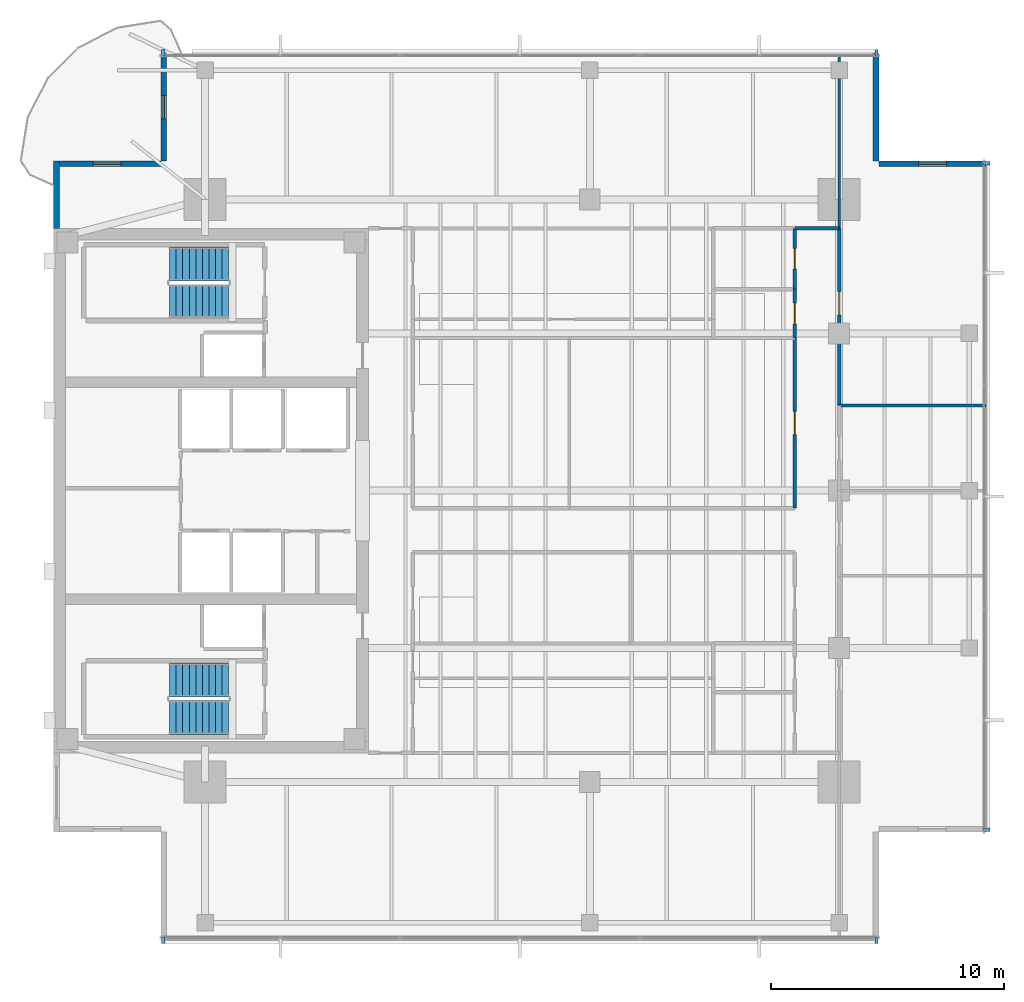
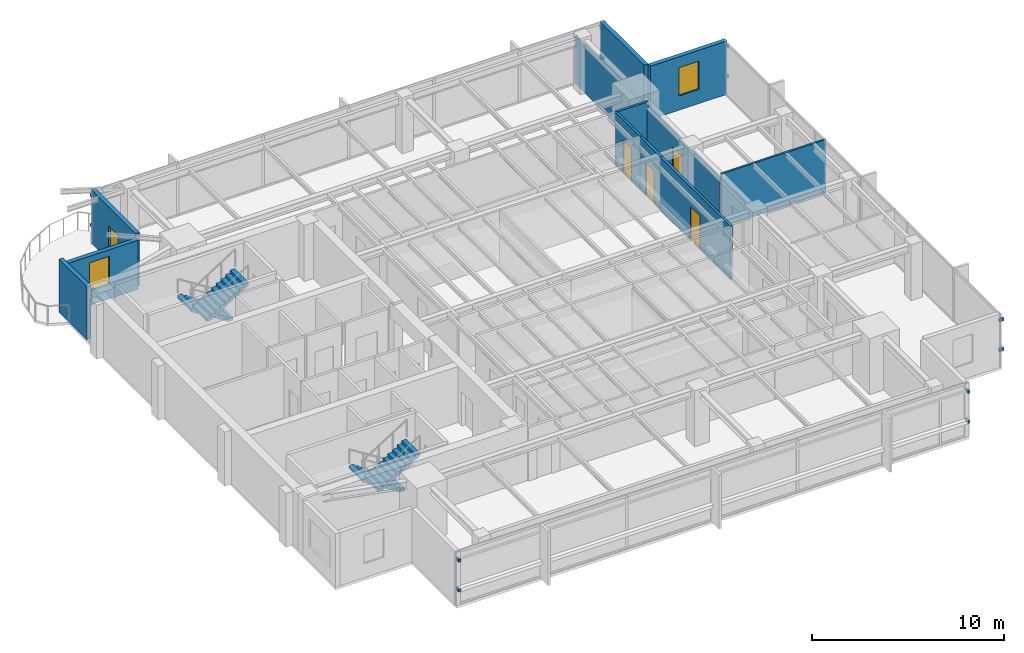
# One storey, part 10 of 14: 12 discrete accessories, 12 walls, 5 doors, 4 stair flights, 2 windows, 7 openings, 2 elements without a shape of their own.
"""IFC4 building model written with IfcOpenShell, lengths in metres."""

from ifc_helpers import new_model, si_unit, direction, frame, frame_2d, origin, origin_2d, place, context, subcontext, project, spatial, polyline, rectangle, outline, extrude, material, layer, layer_set, type_object, element, fill, aggregate, save


model = new_model("IFC4")

# Units and contexts
model_context = context("Model", 3, precision=1e-05, world=origin(), true_north=direction((0.0, 1.0)))
body_context = subcontext(model_context, "Body", "Model", "MODEL_VIEW")
ifc_project = project(units=[si_unit("LENGTHUNIT", "METRE"), si_unit("AREAUNIT", "SQUARE_METRE"), si_unit("VOLUMEUNIT", "CUBIC_METRE"), si_unit("PLANEANGLEUNIT", "RADIAN"), si_unit("MASSUNIT", "GRAM", prefix="KILO")], contexts=[model_context])

# Site, building, storey
site_placement = place(None, origin())
site = spatial("IfcSite", under=ifc_project, at=site_placement, CompositionType="ELEMENT")
building_placement = place(site_placement, origin())
building = spatial("IfcBuilding", under=site, at=building_placement, Name="Kinhvarn Gate Tower", CompositionType="ELEMENT")
storey_placement = place(building_placement, frame((0.0, 0.0, 249.25)))
storey = spatial("IfcBuildingStorey", under=building, at=storey_placement, Name="L66", CompositionType="ELEMENT", Elevation=249.25)

# Wall
ifc_material_1 = material(Name="Fired architectural terracotta", Category="masonry")
ifc_layer_1 = layer(ifc_material_1, 0.25)
ifc_layer_set_1 = layer_set([ifc_layer_1], Name="Fired architectural terracotta")
wall_type_1 = type_object("IfcWallType", Name="WL-EXT-250", PredefinedType="SOLIDWALL", material=ifc_layer_set_1)
wall_1_placement = place(storey_placement, frame((4.625, 39.39990234375, 0.0), z_axis=(0.0, 0.0, 1.0), x_axis=(0.0, -1.0, 0.0)))
element("IfcWall", 1, at=wall_1_placement, inside=storey, type_object=wall_type_1, Name="Exterior Solidwall Wall EW-250 (L66 West-North)", PredefinedType="SOLIDWALL", context=body_context, shape_type="SweptSolid", body=[
    extrude(rectangle(XDim=2.89990234375, YDim=0.25, at=frame_2d((1.449951171875, 0.0))), origin(), (0.0, 0.0, 1.0), 3.389892578125),
])

# Wall, opening, window
wall_2_placement = place(storey_placement, frame((44.5, 39.27490234375, 0.0), z_axis=(0.0, 0.0, 1.0), x_axis=(-1.0, 0.0, 0.0)))
wall_2 = element("IfcWall", 2, at=wall_2_placement, inside=storey, type_object=wall_type_1, Name="Exterior Solidwall Wall EW-250 (L66 NE-Notch-1)", PredefinedType="SOLIDWALL", context=body_context, shape_type="SweptSolid", body=[
    extrude(rectangle(XDim=4.60009765625, YDim=0.25, at=frame_2d((2.300048828125, 0.0))), origin(), (0.0, 0.0, 1.0), 3.389892578125),
])
opening_1_placement = place(wall_2_placement, frame((1.699951171875, 0.0, 0.89990234375)))
opening_1 = element("IfcOpeningElement", 3, at=opening_1_placement, cuts=wall_2, Name="Opening WN-02", PredefinedType="OPENING", context=body_context, shape_type="SweptSolid", body=[
    extrude(rectangle(XDim=1.199951171875, YDim=1.800048828125, at=frame_2d((0.60009765625, 0.89990234375))), frame((0.0, 0.135009765625, 0.0), z_axis=(0.0, -1.0, 0.0), x_axis=(1.0, 0.0, 0.0)), (0.0, 0.0, 1.0), 0.27001953125),
])
ifc_material_2 = material(Name="Clear low-e double glazing", Category="glass")
window_type = type_object("IfcWindowType", Name="WIN-NTC-1200", PartitioningType="SINGLE_PANEL", PredefinedType="WINDOW", material=ifc_material_2)
window_1_placement = place(opening_1_placement, origin())
window_1 = element("IfcWindow", 4, at=window_1_placement, inside=storey, type_object=window_type, Name="Recessed Corner Notch Punched Window 1200x1800 mm (L66)", OverallHeight=1.800048828125, OverallWidth=1.199951171875, PartitioningType="SINGLE_PANEL", PredefinedType="WINDOW", context=body_context, shape_type="SweptSolid", body=[
    extrude(rectangle(XDim=1.199951171875, YDim=1.800048828125, at=frame_2d((0.60009765625, 0.89990234375))), frame((0.0, 0.030029296875, 0.0), z_axis=(0.0, -1.0, 0.0), x_axis=(1.0, 0.0, 0.0)), (0.0, 0.0, 1.0), 0.06005859375),
])
fill(opening_1, window_1)

# Wall
wall_3_placement = place(storey_placement, frame((39.77490234375, 39.39990234375, 0.0), z_axis=(0.0, 0.0, 1.0), x_axis=(0.0, 1.0, 0.0)))
element("IfcWall", 5, at=wall_3_placement, inside=storey, type_object=wall_type_1, Name="Exterior Solidwall Wall EW-250 (L66 NE-Notch-2)", PredefinedType="SOLIDWALL", context=body_context, shape_type="SweptSolid", body=[
    extrude(rectangle(XDim=4.60009765625, YDim=0.25, at=frame_2d((2.300048828125, 0.0))), origin(), (0.0, 0.0, 1.0), 3.389892578125),
])

# Wall, opening, door
wall_4_placement = place(storey_placement, frame((9.22509765625, 44.0, 0.0), z_axis=(0.0, 0.0, 1.0), x_axis=(0.0, -1.0, 0.0)))
wall_4 = element("IfcWall", 6, at=wall_4_placement, inside=storey, type_object=wall_type_1, Name="Exterior Solidwall Wall EW-250 (L66 NW-Notch-Door)", PredefinedType="SOLIDWALL", context=body_context, shape_type="SweptSolid", body=[
    extrude(rectangle(XDim=4.60009765625, YDim=0.25, at=frame_2d((2.300048828125, 0.0))), origin(), (0.0, 0.0, 1.0), 3.389892578125),
])
opening_2_placement = place(wall_4_placement, frame((1.800048828125, 0.0, 0.0)))
opening_2 = element("IfcOpeningElement", 7, at=opening_2_placement, cuts=wall_4, Name="Opening BD-01", PredefinedType="OPENING", context=body_context, shape_type="SweptSolid", body=[
    extrude(rectangle(XDim=1.0, YDim=2.199951171875, at=frame_2d((0.5, 1.10009765625))), frame((0.0, 0.135009765625, 0.0), z_axis=(0.0, -1.0, 0.0), x_axis=(1.0, 0.0, 0.0)), (0.0, 0.0, 1.0), 0.27001953125),
])
door_type_1 = type_object("IfcDoorType", Name="DR-BAL-1000", OperationType="NOTDEFINED", PredefinedType="DOOR", material=ifc_material_2)
door_1_placement = place(opening_2_placement, frame((1.0, 0.0, 0.0), z_axis=(0.0, 0.0, 1.0), x_axis=(-1.0, 0.0, 0.0)))
door_1 = element("IfcDoor", 8, at=door_1_placement, inside=storey, type_object=door_type_1, Name="S-Carve Balcony Door BD-01 (L66)", OperationType="SINGLE_SWING_RIGHT", OverallHeight=2.199951171875, OverallWidth=1.0, PredefinedType="DOOR", context=body_context, shape_type="SweptSolid", body=[
    extrude(rectangle(XDim=1.0, YDim=2.199951171875, at=frame_2d((0.5, 1.10009765625))), frame((0.0, 0.02490234375, 0.0), z_axis=(0.0, -1.0, 0.0), x_axis=(1.0, 0.0, 0.0)), (0.0, 0.0, 1.0), 0.050048828125),
])
fill(opening_2, door_1)

# Wall, opening, window
wall_5_placement = place(storey_placement, frame((9.10009765625, 39.27490234375, 0.0), z_axis=(0.0, 0.0, 1.0), x_axis=(-1.0, 0.0, 0.0)))
wall_5 = element("IfcWall", 9, at=wall_5_placement, inside=storey, type_object=wall_type_1, Name="Exterior Solidwall Wall EW-250 (L66 NW-Notch-Win)", PredefinedType="SOLIDWALL", context=body_context, shape_type="SweptSolid", body=[
    extrude(rectangle(XDim=4.60009765625, YDim=0.25, at=frame_2d((2.300048828125, 0.0))), origin(), (0.0, 0.0, 1.0), 3.1201171875),
])
opening_3_placement = place(wall_5_placement, frame((1.699951171875, 0.0, 0.89990234375)))
opening_3 = element("IfcOpeningElement", 10, at=opening_3_placement, cuts=wall_5, Name="Opening WN-02", PredefinedType="OPENING", context=body_context, shape_type="SweptSolid", body=[
    extrude(rectangle(XDim=1.199951171875, YDim=1.800048828125, at=frame_2d((0.60009765625, 0.89990234375))), frame((0.0, 0.135009765625, 0.0), z_axis=(0.0, -1.0, 0.0), x_axis=(1.0, 0.0, 0.0)), (0.0, 0.0, 1.0), 0.27001953125),
])
window_2_placement = place(opening_3_placement, origin())
window_2 = element("IfcWindow", 11, at=window_2_placement, inside=storey, type_object=window_type, Name="Recessed Corner Notch Punched Window 1200x1800 mm (L66)", OverallHeight=1.800048828125, OverallWidth=1.199951171875, PartitioningType="SINGLE_PANEL", PredefinedType="WINDOW", context=body_context, shape_type="SweptSolid", body=[
    extrude(rectangle(XDim=1.199951171875, YDim=1.800048828125, at=frame_2d((0.60009765625, 0.89990234375))), frame((0.0, 0.030029296875, 0.0), z_axis=(0.0, -1.0, 0.0), x_axis=(1.0, 0.0, 0.0)), (0.0, 0.0, 1.0), 0.06005859375),
])
fill(opening_3, window_2)

# Wall, opening, door
ifc_material_3 = material(Name="Gypsum acoustic partition board")
ifc_layer_2 = layer(ifc_material_3, 0.14990234375)
ifc_layer_set_2 = layer_set([ifc_layer_2], Name="Gypsum acoustic partition board")
wall_type_2 = type_object("IfcWallType", Name="WL-PLM-150F", PredefinedType="PLUMBINGWALL", material=ifc_layer_set_2)
wall_6_placement = place(storey_placement, frame((36.300048828125, 33.89990234375, 0.0), z_axis=(0.0, 0.0, 1.0), x_axis=(0.0, 1.0, 0.0)))
wall_6 = element("IfcWall", 12, at=wall_6_placement, inside=storey, type_object=wall_type_2, Name="Interior Partition PLW-150F (L66)", PredefinedType="PLUMBINGWALL", context=body_context, shape_type="SweptSolid", body=[
    extrude(rectangle(XDim=2.60009765625, YDim=0.14990234375, at=frame_2d((1.300048828125, 0.0))), origin(), (0.0, 0.0, 1.0), 3.389892578125),
])
opening_4_placement = place(wall_6_placement, frame((0.85009765625, 0.0, 0.0)))
opening_4 = element("IfcOpeningElement", 13, at=opening_4_placement, cuts=wall_6, Name="Opening FD-04", PredefinedType="OPENING", context=body_context, shape_type="SweptSolid", body=[
    extrude(rectangle(XDim=0.89990234375, YDim=2.10009765625, at=frame_2d((0.449951171875, 1.050048828125))), frame((0.0, 0.0849609375, 0.0), z_axis=(0.0, -1.0, 0.0), x_axis=(1.0, 0.0, 0.0)), (0.0, 0.0, 1.0), 0.169921875),
])
ifc_material_4 = material(Name="Anodised aluminium AW-6063", Category="aluminium")
door_type_2 = type_object("IfcDoorType", Name="DR-FD-900", OperationType="NOTDEFINED", PredefinedType="DOOR", material=ifc_material_4)
door_2_placement = place(opening_4_placement, origin())
door_2 = element("IfcDoor", 14, at=door_2_placement, inside=storey, type_object=door_type_2, Name="Rated Riser & Service Closet Fire Door 900x2100 mm (L66)", OperationType="SINGLE_SWING_RIGHT", OverallHeight=2.10009765625, OverallWidth=0.89990234375, PredefinedType="DOOR", context=body_context, shape_type="SweptSolid", body=[
    extrude(rectangle(XDim=0.89990234375, YDim=2.10009765625, at=frame_2d((0.449951171875, 1.050048828125))), frame((0.0, 0.02490234375, 0.0), z_axis=(0.0, -1.0, 0.0), x_axis=(1.0, 0.0, 0.0)), (0.0, 0.0, 1.0), 0.050048828125),
])
fill(opening_4, door_2)

wall_7_placement = place(storey_placement, frame((36.300048828125, 31.800048828125, 0.0), z_axis=(0.0, 0.0, 1.0), x_axis=(0.0, 1.0, 0.0)))
wall_7 = element("IfcWall", 15, at=wall_7_placement, inside=storey, type_object=wall_type_2, Name="Interior Partition PLW-150F (L66)", PredefinedType="PLUMBINGWALL", context=body_context, shape_type="SweptSolid", body=[
    extrude(rectangle(XDim=2.099853515625, YDim=0.14990234375, at=frame_2d((1.0498046875, 0.0))), origin(), (0.0, 0.0, 1.0), 3.389892578125),
])
opening_5_placement = place(wall_7_placement, frame((0.60009765625, 0.0, 0.0)))
opening_5 = element("IfcOpeningElement", 16, at=opening_5_placement, cuts=wall_7, Name="Opening FD-04", PredefinedType="OPENING", context=body_context, shape_type="SweptSolid", body=[
    extrude(rectangle(XDim=0.89990234375, YDim=2.10009765625, at=frame_2d((0.449951171875, 1.050048828125))), frame((0.0, 0.0849609375, 0.0), z_axis=(0.0, -1.0, 0.0), x_axis=(1.0, 0.0, 0.0)), (0.0, 0.0, 1.0), 0.169921875),
])
door_3_placement = place(opening_5_placement, origin())
door_3 = element("IfcDoor", 17, at=door_3_placement, inside=storey, type_object=door_type_2, Name="Rated Riser & Service Closet Fire Door 900x2100 mm (L66)", OperationType="SINGLE_SWING_RIGHT", OverallHeight=2.10009765625, OverallWidth=0.89990234375, PredefinedType="DOOR", context=body_context, shape_type="SweptSolid", body=[
    extrude(rectangle(XDim=0.89990234375, YDim=2.10009765625, at=frame_2d((0.449951171875, 1.050048828125))), frame((0.0, 0.02490234375, 0.0), z_axis=(0.0, -1.0, 0.0), x_axis=(1.0, 0.0, 0.0)), (0.0, 0.0, 1.0), 0.050048828125),
])
fill(opening_5, door_3)

# Walls
ifc_layer_3 = layer(ifc_material_3, 0.1201171875)
ifc_layer_set_3 = layer_set([ifc_layer_3], Name="Gypsum acoustic partition board")
wall_type_3 = type_object("IfcWallType", Name="WL-PRT-120", PredefinedType="PARTITIONING", material=ifc_layer_set_3)
wall_8_placement = place(storey_placement, frame((38.199951171875, 36.5, 0.0), z_axis=(0.0, 0.0, 1.0), x_axis=(0.0, 1.0, 0.0)))
element("IfcWall", 18, at=wall_8_placement, inside=storey, type_object=wall_type_3, Name="Interior Partition PW-120 (L66)", PredefinedType="PARTITIONING", context=body_context, shape_type="SweptSolid", body=[
    extrude(rectangle(XDim=7.489990234375, YDim=0.1201171875, at=frame_2d((3.7451171875, 0.0))), origin(), (0.0, 0.0, 1.0), 2.989990234375),
])
wall_9_placement = place(storey_placement, frame((38.199951171875, 28.89990234375, 0.0), z_axis=(0.0, 0.0, 1.0), x_axis=(1.0, 0.0, 0.0)))
element("IfcWall", 19, at=wall_9_placement, inside=storey, type_object=wall_type_3, Name="Interior Partition PW-120 (L66)", PredefinedType="PARTITIONING", context=body_context, shape_type="SweptSolid", body=[
    extrude(rectangle(XDim=6.2900390625, YDim=0.1201171875, at=frame_2d((3.14501953125, 0.0))), origin(), (0.0, 0.0, 1.0), 3.389892578125),
])

# Wall, opening, door
ifc_layer_4 = layer(ifc_material_3, 0.14990234375)
ifc_layer_set_4 = layer_set([ifc_layer_4], Name="Gypsum acoustic partition board")
wall_type_4 = type_object("IfcWallType", Name="WL-PRT-150F", PredefinedType="PARTITIONING", material=ifc_layer_set_4)
wall_10_placement = place(storey_placement, frame((36.300048828125, 24.5, 0.0), z_axis=(0.0, 0.0, 1.0), x_axis=(0.0, 1.0, 0.0)))
wall_10 = element("IfcWall", 20, at=wall_10_placement, inside=storey, type_object=wall_type_4, Name="Interior Partition PW-150F (L66)", PredefinedType="PARTITIONING", context=body_context, shape_type="SweptSolid", body=[
    extrude(rectangle(XDim=7.300048828125, YDim=0.14990234375, at=frame_2d((3.64990234375, 0.0))), origin(), (0.0, 0.0, 1.0), 3.389892578125),
])
opening_6_placement = place(wall_10_placement, frame((3.14990234375, 0.0, 0.0)))
opening_6 = element("IfcOpeningElement", 21, at=opening_6_placement, cuts=wall_10, Name="Opening ID-02", PredefinedType="OPENING", context=body_context, shape_type="SweptSolid", body=[
    extrude(rectangle(XDim=1.0, YDim=2.14990234375, at=frame_2d((0.5, 1.074951171875))), frame((0.0, 0.0849609375, 0.0), z_axis=(0.0, -1.0, 0.0), x_axis=(1.0, 0.0, 0.0)), (0.0, 0.0, 1.0), 0.169921875),
])
door_type_3 = type_object("IfcDoorType", Name="DR-INT-1000", OperationType="NOTDEFINED", PredefinedType="DOOR", material=ifc_material_4)
door_4_placement = place(opening_6_placement, origin())
door_4 = element("IfcDoor", 22, at=door_4_placement, inside=storey, type_object=door_type_3, Name="Standard Office & Meeting Room Door 1000x2150 mm (L66)", OperationType="SINGLE_SWING_RIGHT", OverallHeight=2.14990234375, OverallWidth=1.0, PredefinedType="DOOR", context=body_context, shape_type="SweptSolid", body=[
    extrude(rectangle(XDim=1.0, YDim=2.14990234375, at=frame_2d((0.5, 1.074951171875))), frame((0.0, 0.02490234375, 0.0), z_axis=(0.0, -1.0, 0.0), x_axis=(1.0, 0.0, 0.0)), (0.0, 0.0, 1.0), 0.050048828125),
])
fill(opening_6, door_4)

# Wall
wall_11_placement = place(storey_placement, frame((36.300048828125, 36.5, 0.0), z_axis=(0.0, 0.0, 1.0), x_axis=(1.0, 0.0, 0.0)))
element("IfcWall", 23, at=wall_11_placement, inside=storey, type_object=wall_type_4, Name="Interior Partition PW-150F (L66)", PredefinedType="PARTITIONING", context=body_context, shape_type="SweptSolid", body=[
    extrude(rectangle(XDim=1.89990234375, YDim=0.14990234375, at=frame_2d((0.949951171875, 0.0))), origin(), (0.0, 0.0, 1.0), 3.389892578125),
])

# Wall, opening, door
wall_12_placement = place(storey_placement, frame((38.199951171875, 28.89990234375, 0.0), z_axis=(0.0, 0.0, 1.0), x_axis=(0.0, 1.0, 0.0)))
wall_12 = element("IfcWall", 24, at=wall_12_placement, inside=storey, type_object=wall_type_4, Name="Interior Partition PW-150F (L66)", PredefinedType="PARTITIONING", context=body_context, shape_type="SweptSolid", body=[
    extrude(rectangle(XDim=7.60009765625, YDim=0.14990234375, at=frame_2d((3.800048828125, 0.0))), origin(), (0.0, 0.0, 1.0), 2.989990234375),
])
opening_7_placement = place(wall_12_placement, frame((3.89404296875, 0.0, 0.0)))
opening_7 = element("IfcOpeningElement", 25, at=opening_7_placement, cuts=wall_12, Name="Opening ID-02", PredefinedType="OPENING", context=body_context, shape_type="SweptSolid", body=[
    extrude(rectangle(XDim=1.0, YDim=2.14990234375, at=frame_2d((0.5, 1.074951171875))), frame((0.0, 0.0849609375, 0.0), z_axis=(0.0, -1.0, 0.0), x_axis=(1.0, 0.0, 0.0)), (0.0, 0.0, 1.0), 0.169921875),
])
door_5_placement = place(opening_7_placement, origin())
door_5 = element("IfcDoor", 26, at=door_5_placement, inside=storey, type_object=door_type_3, Name="Standard Office & Meeting Room Door 1000x2150 mm (L66)", OperationType="SINGLE_SWING_RIGHT", OverallHeight=2.14990234375, OverallWidth=1.0, PredefinedType="DOOR", context=body_context, shape_type="SweptSolid", body=[
    extrude(rectangle(XDim=1.0, YDim=2.14990234375, at=frame_2d((0.5, 1.074951171875))), frame((0.0, 0.02490234375, 0.0), z_axis=(0.0, -1.0, 0.0), x_axis=(1.0, 0.0, 0.0)), (0.0, 0.0, 1.0), 0.050048828125),
])
fill(opening_7, door_5)

# Stair, stair flights
ifc_material_5 = material(Name="Concrete C40/50", Category="concrete")
stair_type = type_object("IfcStairType", Name="STR-DLG-178", PredefinedType="HALF_TURN_STAIR", material=ifc_material_5)
stair_1_placement = place(storey_placement, origin())
stair_1 = element("IfcStair", 27, at=stair_1_placement, inside=storey, type_object=stair_type, Name="L66 Core Smokeproof Exit Stair ST1", PredefinedType="HALF_TURN_STAIR")
stair_flight_type = type_object("IfcStairFlightType", Name="STF-DLG-178", PredefinedType="STRAIGHT", material=ifc_material_5)
stair_flight_1_placement = place(storey_placement, frame((12.0, 17.125, 0.0), z_axis=(0.0, 0.0, 1.0), x_axis=(-1.0, 0.0, 0.0)))
stair_flight_1 = element("IfcStairFlight", 28, at=stair_flight_1_placement, type_object=stair_flight_type, Name="ST1 flight 1", NumberOfRisers=10, NumberOfTreads=9, PredefinedType="STRAIGHT", RiserHeight=0.1775, TreadLength=0.28, context=body_context, shape_type="SweptSolid", body=[
    extrude(outline(polyline([(0.0, 0.0), (0.0, 0.177490234375), (0.280029296875, 0.177490234375), (0.280029296875, 0.35498046875), (0.56005859375, 0.35498046875), (0.56005859375, 0.532470703125), (0.840087890625, 0.532470703125), (0.840087890625, 0.7099609375), (1.1201171875, 0.7099609375), (1.1201171875, 0.887451171875), (1.39990234375, 0.887451171875), (1.39990234375, 1.06494140625), (1.679931640625, 1.06494140625), (1.679931640625, 1.242431640625), (1.9599609375, 1.242431640625), (1.9599609375, 1.419921875), (2.239990234375, 1.419921875), (2.239990234375, 1.597412109375), (2.52001953125, 1.597412109375), (2.52001953125, 1.77490234375), (2.52001953125, 1.419921875), (0.280029296875, 0.0), (0.0, 0.0)])), frame((0.0, 0.72509765625, 0.0), z_axis=(0.0, -1.0, 0.0), x_axis=(1.0, 0.0, 0.0)), (0.0, 0.0, 1.0), 1.449951171875),
])
stair_flight_2_placement = place(storey_placement, frame((9.47998046875, 15.52490234375, 1.77490234375), z_axis=(0.0, 0.0, 1.0), x_axis=(1.0, 0.0, 0.0)))
stair_flight_2 = element("IfcStairFlight", 29, at=stair_flight_2_placement, type_object=stair_flight_type, Name="ST1 flight 2", NumberOfRisers=10, NumberOfTreads=9, PredefinedType="STRAIGHT", RiserHeight=0.1775, TreadLength=0.28, context=body_context, shape_type="SweptSolid", body=[
    extrude(outline(polyline([(0.0, 0.0), (0.0, 0.177490234375), (0.280029296875, 0.177490234375), (0.280029296875, 0.35498046875), (0.56005859375, 0.35498046875), (0.56005859375, 0.532470703125), (0.840087890625, 0.532470703125), (0.840087890625, 0.7099609375), (1.1201171875, 0.7099609375), (1.1201171875, 0.887451171875), (1.39990234375, 0.887451171875), (1.39990234375, 1.06494140625), (1.679931640625, 1.06494140625), (1.679931640625, 1.242431640625), (1.9599609375, 1.242431640625), (1.9599609375, 1.419921875), (2.239990234375, 1.419921875), (2.239990234375, 1.597412109375), (2.52001953125, 1.597412109375), (2.52001953125, 1.77490234375), (2.52001953125, 1.419921875), (0.280029296875, 0.0), (0.0, 0.0)])), frame((0.0, 0.72509765625, 0.0), z_axis=(0.0, -1.0, 0.0), x_axis=(1.0, 0.0, 0.0)), (0.0, 0.0, 1.0), 1.449951171875),
])
aggregate(stair_1, [stair_flight_1, stair_flight_2])

stair_2_placement = place(storey_placement, origin())
stair_2 = element("IfcStair", 30, at=stair_2_placement, inside=storey, type_object=stair_type, Name="L66 Core Smokeproof Exit Stair ST2", PredefinedType="HALF_TURN_STAIR")
stair_flight_3_placement = place(storey_placement, frame((12.0, 34.97509765625, 0.0), z_axis=(0.0, 0.0, 1.0), x_axis=(-1.0, 0.0, 0.0)))
stair_flight_3 = element("IfcStairFlight", 31, at=stair_flight_3_placement, type_object=stair_flight_type, Name="ST2 flight 1", NumberOfRisers=10, NumberOfTreads=9, PredefinedType="STRAIGHT", RiserHeight=0.1775, TreadLength=0.28, context=body_context, shape_type="SweptSolid", body=[
    extrude(outline(polyline([(0.0, 0.0), (0.0, 0.177490234375), (0.280029296875, 0.177490234375), (0.280029296875, 0.35498046875), (0.56005859375, 0.35498046875), (0.56005859375, 0.532470703125), (0.840087890625, 0.532470703125), (0.840087890625, 0.7099609375), (1.1201171875, 0.7099609375), (1.1201171875, 0.887451171875), (1.39990234375, 0.887451171875), (1.39990234375, 1.06494140625), (1.679931640625, 1.06494140625), (1.679931640625, 1.242431640625), (1.9599609375, 1.242431640625), (1.9599609375, 1.419921875), (2.239990234375, 1.419921875), (2.239990234375, 1.597412109375), (2.52001953125, 1.597412109375), (2.52001953125, 1.77490234375), (2.52001953125, 1.419921875), (0.280029296875, 0.0), (0.0, 0.0)])), frame((0.0, 0.72509765625, 0.0), z_axis=(0.0, -1.0, 0.0), x_axis=(1.0, 0.0, 0.0)), (0.0, 0.0, 1.0), 1.449951171875),
])
stair_flight_4_placement = place(storey_placement, frame((9.47998046875, 33.375, 1.77490234375), z_axis=(0.0, 0.0, 1.0), x_axis=(1.0, 0.0, 0.0)))
stair_flight_4 = element("IfcStairFlight", 32, at=stair_flight_4_placement, type_object=stair_flight_type, Name="ST2 flight 2", NumberOfRisers=10, NumberOfTreads=9, PredefinedType="STRAIGHT", RiserHeight=0.1775, TreadLength=0.28, context=body_context, shape_type="SweptSolid", body=[
    extrude(outline(polyline([(0.0, 0.0), (0.0, 0.177490234375), (0.280029296875, 0.177490234375), (0.280029296875, 0.35498046875), (0.56005859375, 0.35498046875), (0.56005859375, 0.532470703125), (0.840087890625, 0.532470703125), (0.840087890625, 0.7099609375), (1.1201171875, 0.7099609375), (1.1201171875, 0.887451171875), (1.39990234375, 0.887451171875), (1.39990234375, 1.06494140625), (1.679931640625, 1.06494140625), (1.679931640625, 1.242431640625), (1.9599609375, 1.242431640625), (1.9599609375, 1.419921875), (2.239990234375, 1.419921875), (2.239990234375, 1.597412109375), (2.52001953125, 1.597412109375), (2.52001953125, 1.77490234375), (2.52001953125, 1.419921875), (0.280029296875, 0.0), (0.0, 0.0)])), frame((0.0, 0.72509765625, 0.0), z_axis=(0.0, -1.0, 0.0), x_axis=(1.0, 0.0, 0.0)), (0.0, 0.0, 1.0), 1.449951171875),
])
aggregate(stair_2, [stair_flight_3, stair_flight_4])

# Discrete accessories
discrete_accessory_type = type_object("IfcDiscreteAccessoryType", Name="ACC-BRK-01", PredefinedType="BRACKET", material=ifc_material_4)
for number, where, z_axis, x_axis, name in (
    (33, (9.199951171875, 5.969970703125, 0.9599609375), (0.0, 0.0, 1.0), (1.0, 0.0, 0.0), "Baguette Support Bracket BK-01 (L66)"),
    (34, (9.199951171875, 5.969970703125, 2.85009765625), (0.0, 0.0, 1.0), (1.0, 0.0, 0.0), "Baguette Support Bracket BK-01 (L66)"),
    (35, (39.800048828125, 5.969970703125, 0.9599609375), (0.0, 0.0, 1.0), (1.0, 0.0, 0.0), "Baguette Support Bracket BK-01 (L66)"),
    (36, (39.800048828125, 5.969970703125, 2.85009765625), (0.0, 0.0, 1.0), (1.0, 0.0, 0.0), "Baguette Support Bracket BK-01 (L66)"),
    (37, (39.800048828125, 44.030029296875, 0.9599609375), (0.0, 0.0, 1.0), (-1.0, 0.0, 0.0), "Baguette Support Bracket BK-01 (L66)"),
    (38, (39.800048828125, 44.030029296875, 2.85009765625), (0.0, 0.0, 1.0), (-1.0, 0.0, 0.0), "Baguette Support Bracket BK-01 (L66)"),
    (39, (9.199951171875, 44.030029296875, 0.9599609375), (0.0, 0.0, 1.0), (-1.0, 0.0, 0.0), "Baguette Support Bracket BK-01 (L66)"),
    (40, (9.199951171875, 44.030029296875, 2.85009765625), (0.0, 0.0, 1.0), (-1.0, 0.0, 0.0), "Baguette Support Bracket BK-01 (L66)"),
    (41, (44.530029296875, 10.699951171875, 0.9599609375), (0.0, 0.0, 1.0), (0.0, 1.0, 0.0), "Baguette Support Bracket BK-01 (L66)"),
    (42, (44.530029296875, 10.699951171875, 2.85009765625), (0.0, 0.0, 1.0), (0.0, 1.0, 0.0), "Baguette Support Bracket BK-01 (L66)"),
    (43, (44.530029296875, 39.300048828125, 0.9599609375), (0.0, 0.0, 1.0), (0.0, 1.0, 0.0), "Baguette Support Bracket BK-01 (L66)"),
    (44, (44.530029296875, 39.300048828125, 2.85009765625), (0.0, 0.0, 1.0), (0.0, 1.0, 0.0), "Baguette Support Bracket BK-01 (L66)"),
):
    element("IfcDiscreteAccessory", number, at=place(storey_placement, frame(where, z_axis=z_axis, x_axis=x_axis)), inside=storey, type_object=discrete_accessory_type, Name=name, PredefinedType="BRACKET", context=body_context, shape_type="SweptSolid", body=[
        extrude(rectangle(XDim=0.139892578125, YDim=0.280029296875, at=origin_2d()), origin(), (0.0, 0.0, 1.0), 0.179931640625),
    ])

save(model, "model.ifc")
